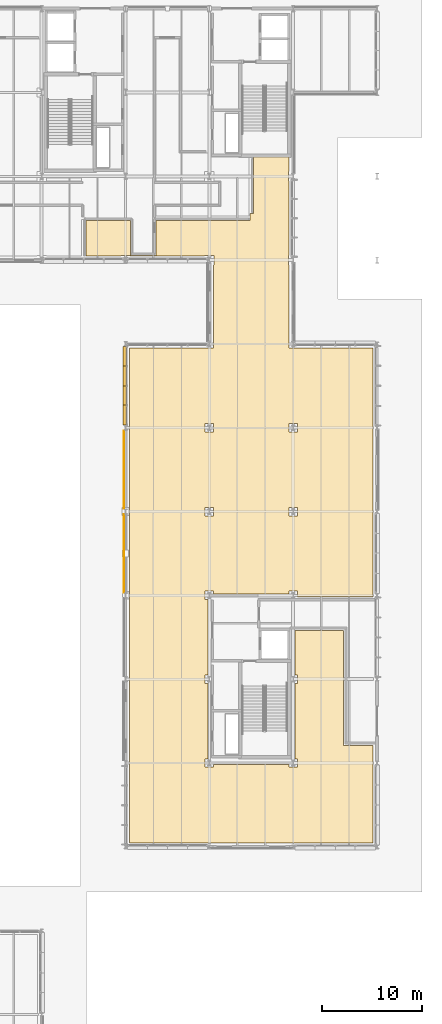
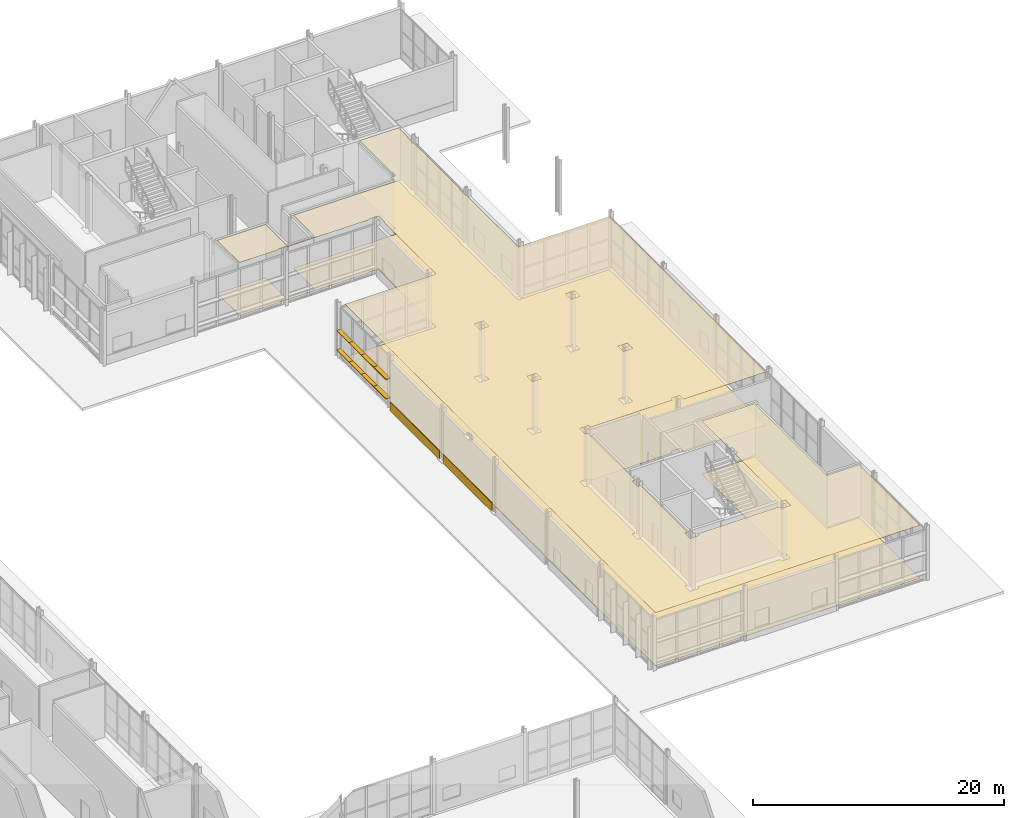
# One storey, part 118 of 124: 8 shading devices, 4 coverings.
"""IFC4 building model written with IfcOpenShell, lengths in metres."""

import ifcopenshell
import ifcopenshell.guid

model = None  # the IFC model being written
_history = None  # IfcOwnerHistory: only IFC2X3 demands one
_inside = {}  # id of a spatial element -> (the spatial element, [elements in it])
_under = {}  # id of a project, library or spatial element -> (it, [spatial elements below it])
_declared = {}  # id of a project -> (the project, [libraries it declares])
_typed = {}  # id of a type object -> (the type object, [elements of that type])
_made_of = {}  # id of a material, layer set ... -> (it, [elements and type objects made of it])


def new_model(schema):
    """Start an empty IFC model of exactly this schema.

    Asked for "IFC4X3", IfcOpenShell would pick the latest addendum, in which some entities
    have other attributes; the version numbers below select the first issue.
    IFC2X3 requires an IfcOwnerHistory on every rooted entity: one is made here for all.
    """
    global model, _history
    if schema == "IFC4X3":
        model = ifcopenshell.file(schema_version=(4, 3, 0, 0))
    else:
        model = ifcopenshell.file(schema=schema)
    _inside.clear()
    _under.clear()
    _declared.clear()
    _typed.clear()
    _made_of.clear()
    _history = None
    if model.schema == "IFC2X3":
        org = make("IfcOrganization", Name="unknown")
        user = make(
            "IfcPersonAndOrganization",
            ThePerson=make("IfcPerson", FamilyName="unknown"),
            TheOrganization=org,
        )
        app = make(
            "IfcApplication",
            ApplicationDeveloper=org,
            Version="unknown",
            ApplicationFullName="unknown",
            ApplicationIdentifier="unknown",
        )
        _history = make(
            "IfcOwnerHistory",
            OwningUser=user,
            OwningApplication=app,
            ChangeAction="ADDED",
            CreationDate=0,
        )
    return model


def make(cls, **values):
    """One entity of the class cls with the attributes given. An attribute that is None is left unset."""
    return model.create_entity(
        cls, **{name: value for name, value in values.items() if value is not None}
    )


def rooted(cls, **values):
    """An entity with a GlobalId (a new one), such as an element, a storey or a relation."""
    return make(cls, GlobalId=ifcopenshell.guid.new(), OwnerHistory=_history, **values)


def si_unit(unit_type, name, prefix=None):
    """IfcSIUnit, for example si_unit("LENGTHUNIT", "METRE", prefix="MILLI")."""
    return make("IfcSIUnit", UnitType=unit_type, Prefix=prefix, Name=name)


def assignment(units):
    """IfcUnitAssignment: the units of a project."""
    return None if units is None else make("IfcUnitAssignment", Units=units)


def point(xyz):
    """IfcCartesianPoint."""
    return None if xyz is None else make("IfcCartesianPoint", Coordinates=xyz)


def direction(xyz):
    """IfcDirection."""
    return None if xyz is None else make("IfcDirection", DirectionRatios=xyz)


def frame(location, z_axis=None, x_axis=None):
    """IfcAxis2Placement3D, a coordinate frame: its origin and axes. An axis left out is left unset."""
    return make(
        "IfcAxis2Placement3D",
        Location=point(location),
        Axis=direction(z_axis),
        RefDirection=direction(x_axis),
    )


def frame_2d(location, x_axis=None):
    """IfcAxis2Placement2D, a coordinate frame in the plane: its origin and x axis."""
    return make(
        "IfcAxis2Placement2D", Location=point(location), RefDirection=direction(x_axis)
    )


def origin():
    """The frame at (0, 0, 0) with its axes left unset."""
    return frame((0.0, 0.0, 0.0))


def origin_2d():
    """The frame at (0, 0) in the plane with its x axis left unset."""
    return frame_2d((0.0, 0.0))


def place(relative_to, where):
    """IfcLocalPlacement: puts the frame where relative to a parent placement (None: the world)."""
    return make(
        "IfcLocalPlacement", PlacementRelTo=relative_to, RelativePlacement=where
    )


def context(
    kind, dimensions, precision=None, world=None, true_north=None, identifier=None
):
    """IfcGeometricRepresentationContext, for example the 3D "Model" context."""
    return make(
        "IfcGeometricRepresentationContext",
        ContextIdentifier=identifier,
        ContextType=kind,
        CoordinateSpaceDimension=dimensions,
        Precision=precision,
        WorldCoordinateSystem=world,
        TrueNorth=true_north,
    )


def subcontext(parent, identifier, kind, view, scale=None):
    """IfcGeometricRepresentationSubContext, for example "Body" below "Model"."""
    return make(
        "IfcGeometricRepresentationSubContext",
        ContextIdentifier=identifier,
        ContextType=kind,
        ParentContext=parent,
        TargetScale=scale,
        TargetView=view,
    )


def project(units=None, contexts=None):
    """IfcProject with its units and contexts."""
    return rooted(
        "IfcProject",
        Name="project",
        RepresentationContexts=contexts,
        UnitsInContext=assignment(units),
    )


def spatial(cls, under=None, at=None, **own):
    """A site, building, storey or space (cls), placed at a placement, below another one or the project."""
    s = rooted(cls, ObjectPlacement=at, **own)
    if under is not None:
        _under.setdefault(under.id(), (under, []))[1].append(s)
    return s


def polyline(points):
    """IfcPolyline through the points."""
    return make("IfcPolyline", Points=[point(p) for p in points])


def profile(cls, at=None, kind="AREA", **sizes):
    """A parametric profile (cls). Its sizes go by their IFC names, for example OverallWidth=200.0."""
    return make(cls, ProfileType=kind, Position=at, **sizes)


def rectangle(**sizes):
    """IfcRectangleProfileDef."""
    return profile("IfcRectangleProfileDef", **sizes)


def outline(outer, holes=None, kind="AREA"):
    """IfcArbitraryClosedProfileDef: a profile drawn as a closed curve; with holes, ...WithVoids."""
    if holes is None:
        return make("IfcArbitraryClosedProfileDef", ProfileType=kind, OuterCurve=outer)
    return make(
        "IfcArbitraryProfileDefWithVoids",
        ProfileType=kind,
        OuterCurve=outer,
        InnerCurves=holes,
    )


def extrude(swept, where, along, depth):
    """IfcExtrudedAreaSolid: the profile swept, set in the frame where, extruded along a direction by depth."""
    return make(
        "IfcExtrudedAreaSolid",
        SweptArea=swept,
        Position=where,
        ExtrudedDirection=direction(along),
        Depth=depth,
    )


def shape(context_of_items, identifier, shape_type, items):
    """IfcShapeRepresentation: the items that make up one representation, for example the "Body"."""
    return make(
        "IfcShapeRepresentation",
        ContextOfItems=context_of_items,
        RepresentationIdentifier=identifier,
        RepresentationType=shape_type,
        Items=items,
    )


def material(Name=None, Category=None):
    """IfcMaterial."""
    return make("IfcMaterial", Name=Name, Category=Category)


def layer(
    of_material, thickness, ventilated=None, Name=None, Category=None, Priority=None
):
    """IfcMaterialLayer: one layer of a wall or slab, of a material (None: an air gap)."""
    return make(
        "IfcMaterialLayer",
        Material=of_material,
        LayerThickness=thickness,
        IsVentilated=ventilated,
        Name=Name,
        Category=Category,
        Priority=Priority,
    )


def layer_set(layers, Name=None):
    """IfcMaterialLayerSet."""
    return make("IfcMaterialLayerSet", MaterialLayers=layers, LayerSetName=Name)


def made_of(thing, what):
    """Note that an element or type object is made of a material, layer set ...; save() writes the relation."""
    if what is not None:
        _made_of.setdefault(what.id(), (what, []))[1].append(thing)
    return thing


def type_object(cls, material=None, **own):
    """A type object (cls), such as IfcWallType, which elements share."""
    return made_of(rooted(cls, **own), material)


def element(
    cls,
    number,
    at=None,
    inside=None,
    cuts=None,
    type_object=None,
    material=None,
    context=None,
    identifier="Body",
    shape_type=None,
    held_by="IfcProductDefinitionShape",
    body=None,
    shapes=None,
    **own,
):
    """One element of the class cls, such as IfcWall. Its Tag is "e" and its number.

    at: its placement. inside: the storey or other place that contains it. cuts: it is an
    opening in that element (IfcRelVoidsElement). A single representation is given by context,
    identifier, shape_type and body (its items); several are given by shapes. held_by: the class
    of the entity that holds the representations. save() writes the other relations.
    """
    e = rooted(cls, Tag="e%d" % number, ObjectPlacement=at, **own)
    if body is not None:
        shapes = [shape(context, identifier, shape_type, body)]
    if shapes is not None:
        e.Representation = make(held_by, Representations=shapes)
    if inside is not None:
        _inside.setdefault(inside.id(), (inside, []))[1].append(e)
    if cuts is not None:
        rooted(
            "IfcRelVoidsElement", RelatingBuildingElement=cuts, RelatedOpeningElement=e
        )
    if type_object is not None:
        _typed.setdefault(type_object.id(), (type_object, []))[1].append(e)
    return made_of(e, material)


def aggregate(whole, parts):
    """IfcRelAggregates: a whole, such as a stair, and the parts it consists of."""
    return rooted("IfcRelAggregates", RelatingObject=whole, RelatedObjects=parts)


def save(model, path):
    """Write the relations noted so far, then the file.

    IfcRelAggregates (storeys below a building ...), IfcRelContainedInSpatialStructure (elements
    in a storey), IfcRelDefinesByType, IfcRelAssociatesMaterial and IfcRelDeclares: one each for
    every whole, place, type object, material and project.
    """
    for whole, parts in _under.values():
        aggregate(whole, parts)
    for where, things in _inside.values():
        rooted(
            "IfcRelContainedInSpatialStructure",
            RelatedElements=things,
            RelatingStructure=where,
        )
    for kind, things in _typed.values():
        rooted("IfcRelDefinesByType", RelatedObjects=things, RelatingType=kind)
    for what, things in _made_of.values():
        rooted("IfcRelAssociatesMaterial", RelatedObjects=things, RelatingMaterial=what)
    for by, libraries in _declared.values():
        rooted("IfcRelDeclares", RelatingContext=by, RelatedDefinitions=libraries)
    model.write(path)


model = new_model("IFC4")

# Units and contexts
model_context = context("Model", 3, precision=1e-05, world=origin(), true_north=direction((0.0, 1.0)))
body_context = subcontext(model_context, "Body", "Model", "MODEL_VIEW")
ifc_project = project(units=[si_unit("LENGTHUNIT", "METRE"), si_unit("AREAUNIT", "SQUARE_METRE"), si_unit("VOLUMEUNIT", "CUBIC_METRE"), si_unit("PLANEANGLEUNIT", "RADIAN"), si_unit("MASSUNIT", "GRAM", prefix="KILO")], contexts=[model_context])

# Site, building, storey
site_placement = place(None, origin())
site = spatial("IfcSite", under=ifc_project, at=site_placement, CompositionType="ELEMENT")
building_placement = place(site_placement, origin())
building = spatial("IfcBuilding", under=site, at=building_placement, Name="Mersafa Astral City Hall", CompositionType="ELEMENT")
storey_placement = place(building_placement, origin())
storey = spatial("IfcBuildingStorey", under=building, at=storey_placement, Name="L00", CompositionType="ELEMENT", Elevation=0.0)

# Coverings
ifc_material_1 = material(Name="Cairo Mokattam buff limestone cladding", Category="masonry")
ifc_layer_1 = layer(ifc_material_1, 0.06005859375, Name="Cairo Mokattam buff limestone cladding")
ifc_layer_set_1 = layer_set([ifc_layer_1], Name="Cairo Mokattam buff limestone cladding — ENV-COV-LIMESTONE-60")
covering_type_1 = type_object("IfcCoveringType", Name="ENV-COV-LIMESTONE-60", PredefinedType="CLADDING", material=ifc_layer_set_1)
for number, where, z_axis, x_axis, name in (
    (1, (159.445556640625, 79.800048828125, 0.0), (0.0, 0.0, 1.0), (0.0, -1.0, 0.0), "L00 Cairo buff limestone rainscreen cladding 23"),
    (2, (159.452880859375, 71.39990234375, 0.0), (0.0, 0.0, 1.0), (0.0, -1.0, 0.0), "L00 Cairo buff limestone rainscreen cladding 24"),
):
    element("IfcCovering", number, at=place(storey_placement, frame(where, z_axis=z_axis, x_axis=x_axis)), inside=storey, type_object=covering_type_1, Name=name, PredefinedType="CLADDING", context=body_context, shape_type="SweptSolid", body=[
        extrude(rectangle(XDim=7.847900390625, YDim=0.06005859375, at=origin_2d()), origin(), (0.0, 0.0, 1.0), 0.860107421875),
    ])

# Shading devices
ifc_material_2 = material(Name="Kiln-dried cedar timber brise-soleil blade", Category="wood")
shading_device_type = type_object("IfcShadingDeviceType", Name="ENV-SHD-LOUVRE-380", PredefinedType="JALOUSIE", material=ifc_material_2)
shading_device_1_placement = place(storey_placement, frame((159.52001953125, 91.160400390625, 0.81494140625), z_axis=(0.0, 0.0, 1.0), x_axis=(0.0, -1.0, 0.0)))
element("IfcShadingDevice", 3, at=shading_device_1_placement, inside=storey, type_object=shading_device_type, Name="L00 Horizontal cedar brise-soleil louvre 130", PredefinedType="JALOUSIE", context=body_context, shape_type="SweptSolid", body=[
    extrude(rectangle(XDim=1.985107421875, YDim=0.3798828125, at=origin_2d()), origin(), (0.0, 0.0, 1.0), 0.070068359375),
])
for number, where, z_axis, x_axis, name in (
    (4, (159.52001953125, 89.2001953125, 0.81494140625), (0.0, 0.0, 1.0), (0.0, -1.0, 0.0), "L00 Horizontal cedar brise-soleil louvre 131"),
    (5, (159.52001953125, 87.224853515625, 0.81494140625), (0.0, 0.0, 1.0), (0.0, -1.0, 0.0), "L00 Horizontal cedar brise-soleil louvre 132"),
):
    element("IfcShadingDevice", number, at=place(storey_placement, frame(where, z_axis=z_axis, x_axis=x_axis)), inside=storey, type_object=shading_device_type, Name=name, PredefinedType="JALOUSIE", context=body_context, shape_type="SweptSolid", body=[
        extrude(rectangle(XDim=2.01513671875, YDim=0.3798828125, at=origin_2d()), origin(), (0.0, 0.0, 1.0), 0.070068359375),
    ])
for number, where, z_axis, x_axis, name in (
    (6, (159.52001953125, 85.2646484375, 0.81494140625), (0.0, 0.0, 1.0), (0.0, -1.0, 0.0), "L00 Horizontal cedar brise-soleil louvre 133"),
    (7, (159.52001953125, 91.160400390625, 2.71484375), (0.0, 0.0, 1.0), (0.0, -1.0, 0.0), "L00 Horizontal cedar brise-soleil louvre 134"),
):
    element("IfcShadingDevice", number, at=place(storey_placement, frame(where, z_axis=z_axis, x_axis=x_axis)), inside=storey, type_object=shading_device_type, Name=name, PredefinedType="JALOUSIE", context=body_context, shape_type="SweptSolid", body=[
        extrude(rectangle(XDim=1.985107421875, YDim=0.3798828125, at=origin_2d()), origin(), (0.0, 0.0, 1.0), 0.070068359375),
    ])
for number, where, z_axis, x_axis, name in (
    (8, (159.52001953125, 89.2001953125, 2.71484375), (0.0, 0.0, 1.0), (0.0, -1.0, 0.0), "L00 Horizontal cedar brise-soleil louvre 135"),
    (9, (159.52001953125, 87.224853515625, 2.71484375), (0.0, 0.0, 1.0), (0.0, -1.0, 0.0), "L00 Horizontal cedar brise-soleil louvre 136"),
):
    element("IfcShadingDevice", number, at=place(storey_placement, frame(where, z_axis=z_axis, x_axis=x_axis)), inside=storey, type_object=shading_device_type, Name=name, PredefinedType="JALOUSIE", context=body_context, shape_type="SweptSolid", body=[
        extrude(rectangle(XDim=2.01513671875, YDim=0.3798828125, at=origin_2d()), origin(), (0.0, 0.0, 1.0), 0.070068359375),
    ])
shading_device_2_placement = place(storey_placement, frame((159.52001953125, 85.2646484375, 2.71484375), z_axis=(0.0, 0.0, 1.0), x_axis=(0.0, -1.0, 0.0)))
element("IfcShadingDevice", 10, at=shading_device_2_placement, inside=storey, type_object=shading_device_type, Name="L00 Horizontal cedar brise-soleil louvre 137", PredefinedType="JALOUSIE", context=body_context, shape_type="SweptSolid", body=[
    extrude(rectangle(XDim=1.985107421875, YDim=0.3798828125, at=origin_2d()), origin(), (0.0, 0.0, 1.0), 0.070068359375),
])

# Coverings
ifc_material_3 = material(Name="Perforated acoustic gypsum board ceiling", Category="gypsum")
ifc_layer_2 = layer(ifc_material_3, 0.02490234375, Name="Perforated acoustic gypsum board ceiling")
ifc_layer_set_2 = layer_set([ifc_layer_2], Name="Perforated acoustic gypsum board ceiling — INT-COV-CEIL-25")
covering_type_2 = type_object("IfcCoveringType", Name="INT-COV-CEIL-25", PredefinedType="CEILING", material=ifc_layer_set_2)
covering_1_placement = place(storey_placement, frame((0.0, 0.0, 5.156005859375)))
element("IfcCovering", 11, at=covering_1_placement, inside=storey, type_object=covering_type_2, Name="L00 Citizens Service Centre L00-02 acoustic ceiling", PredefinedType="CEILING", context=body_context, shape_type="SweptSolid", body=[
    extrude(outline(polyline([(155.6298828125, 101.199951171875), (155.6298828125, 104.77001953125), (160.080078125, 104.77001953125), (160.080078125, 101.280029296875), (162.639892578125, 101.280029296875), (162.639892578125, 104.77001953125), (172.080078125, 104.77001953125), (172.080078125, 105.469970703125), (172.429931640625, 105.469970703125), (172.429931640625, 111.1201171875), (176.0, 111.1201171875), (176.0, 109.669921875), (175.929931640625, 109.669921875), (175.929931640625, 108.72998046875), (176.0, 108.72998046875), (176.0, 101.27001953125), (175.929931640625, 101.27001953125), (175.929931640625, 100.330078125), (176.0, 100.330078125), (176.0, 92.820068359375), (175.97998046875, 92.820068359375), (175.97998046875, 91.97998046875), (176.820068359375, 91.97998046875), (176.820068359375, 92.0), (184.39990234375, 92.0), (184.39990234375, 67.02001953125), (176.820068359375, 67.02001953125), (176.820068359375, 67.6201171875), (175.97998046875, 67.6201171875), (175.97998046875, 67.360107421875), (168.419921875, 67.360107421875), (168.419921875, 67.6201171875), (167.580078125, 67.6201171875), (167.580078125, 66.780029296875), (167.840087890625, 66.780029296875), (167.840087890625, 59.219970703125), (167.580078125, 59.219970703125), (167.580078125, 58.3798828125), (167.840087890625, 58.3798828125), (167.840087890625, 50.820068359375), (167.580078125, 50.820068359375), (167.580078125, 49.97998046875), (168.419921875, 49.97998046875), (168.419921875, 50.239990234375), (175.97998046875, 50.239990234375), (175.97998046875, 49.97998046875), (176.820068359375, 49.97998046875), (176.820068359375, 50.820068359375), (176.56005859375, 50.820068359375), (176.56005859375, 58.3798828125), (176.820068359375, 58.3798828125), (176.820068359375, 59.219970703125), (176.56005859375, 59.219970703125), (176.56005859375, 63.659912109375), (181.43994140625, 63.659912109375), (181.43994140625, 52.139892578125), (184.39990234375, 52.139892578125), (184.39990234375, 42.39990234375), (160.0, 42.39990234375), (160.0, 49.97998046875), (160.02001953125, 49.97998046875), (160.02001953125, 50.820068359375), (160.0, 50.820068359375), (160.0, 58.3798828125), (160.02001953125, 58.3798828125), (160.02001953125, 59.219970703125), (160.0, 59.219970703125), (160.0, 66.780029296875), (160.02001953125, 66.780029296875), (160.02001953125, 67.6201171875), (160.0, 67.6201171875), (160.0, 75.179931640625), (160.02001953125, 75.179931640625), (160.02001953125, 76.02001953125), (160.0, 76.02001953125), (160.0, 83.580078125), (160.02001953125, 83.580078125), (160.02001953125, 84.419921875), (160.0, 84.419921875), (160.0, 92.0), (167.580078125, 92.0), (167.580078125, 91.97998046875), (168.419921875, 91.97998046875), (168.419921875, 92.820068359375), (168.39990234375, 92.820068359375), (168.39990234375, 100.330078125), (168.469970703125, 100.330078125), (168.469970703125, 101.27001953125), (167.530029296875, 101.27001953125), (167.530029296875, 101.199951171875), (160.070068359375, 101.199951171875), (160.070068359375, 101.27001953125), (159.1298828125, 101.27001953125), (159.1298828125, 101.199951171875), (155.6298828125, 101.199951171875)]), holes=[polyline([(176.820068359375, 75.179931640625), (176.820068359375, 76.02001953125), (175.97998046875, 76.02001953125), (175.97998046875, 75.179931640625), (176.820068359375, 75.179931640625)]), polyline([(175.97998046875, 83.580078125), (176.820068359375, 83.580078125), (176.820068359375, 84.419921875), (175.97998046875, 84.419921875), (175.97998046875, 83.580078125)]), polyline([(167.580078125, 75.179931640625), (168.419921875, 75.179931640625), (168.419921875, 76.02001953125), (167.580078125, 76.02001953125), (167.580078125, 75.179931640625)]), polyline([(167.580078125, 83.580078125), (168.419921875, 83.580078125), (168.419921875, 84.419921875), (167.580078125, 84.419921875), (167.580078125, 83.580078125)])]), origin(), (0.0, 0.0, 1.0), 0.02490234375),
])
ifc_material_4 = material(Name="Honed Cairo limestone terrazzo flooring", Category="masonry")
ifc_layer_3 = layer(ifc_material_4, 0.02001953125, Name="Honed Cairo limestone terrazzo flooring")
ifc_layer_set_3 = layer_set([ifc_layer_3], Name="Honed Cairo limestone terrazzo flooring — INT-COV-FLR-20")
covering_type_3 = type_object("IfcCoveringType", Name="INT-COV-FLR-20", PredefinedType="FLOORING", material=ifc_layer_set_3)
covering_2_placement = place(storey_placement, frame((0.0, 0.0, -0.00146484375)))
element("IfcCovering", 12, at=covering_2_placement, inside=storey, type_object=covering_type_3, Name="L00 Citizens Service Centre L00-02 architectural flooring", PredefinedType="FLOORING", context=body_context, shape_type="SweptSolid", body=[
    extrude(outline(polyline([(155.6298828125, 101.199951171875), (155.6298828125, 104.77001953125), (160.080078125, 104.77001953125), (160.080078125, 101.280029296875), (162.639892578125, 101.280029296875), (162.639892578125, 104.77001953125), (172.080078125, 104.77001953125), (172.080078125, 105.469970703125), (172.429931640625, 105.469970703125), (172.429931640625, 111.1201171875), (176.0, 111.1201171875), (176.0, 109.669921875), (175.929931640625, 109.669921875), (175.929931640625, 108.72998046875), (176.0, 108.72998046875), (176.0, 101.27001953125), (175.929931640625, 101.27001953125), (175.929931640625, 100.330078125), (176.0, 100.330078125), (176.0, 92.820068359375), (175.97998046875, 92.820068359375), (175.97998046875, 91.97998046875), (176.820068359375, 91.97998046875), (176.820068359375, 92.0), (184.39990234375, 92.0), (184.39990234375, 67.02001953125), (176.820068359375, 67.02001953125), (176.820068359375, 67.6201171875), (175.97998046875, 67.6201171875), (175.97998046875, 67.360107421875), (168.419921875, 67.360107421875), (168.419921875, 67.6201171875), (167.580078125, 67.6201171875), (167.580078125, 66.780029296875), (167.840087890625, 66.780029296875), (167.840087890625, 59.219970703125), (167.580078125, 59.219970703125), (167.580078125, 58.3798828125), (167.840087890625, 58.3798828125), (167.840087890625, 50.820068359375), (167.580078125, 50.820068359375), (167.580078125, 49.97998046875), (168.419921875, 49.97998046875), (168.419921875, 50.239990234375), (175.97998046875, 50.239990234375), (175.97998046875, 49.97998046875), (176.820068359375, 49.97998046875), (176.820068359375, 50.820068359375), (176.56005859375, 50.820068359375), (176.56005859375, 58.3798828125), (176.820068359375, 58.3798828125), (176.820068359375, 59.219970703125), (176.56005859375, 59.219970703125), (176.56005859375, 63.659912109375), (181.43994140625, 63.659912109375), (181.43994140625, 52.139892578125), (184.39990234375, 52.139892578125), (184.39990234375, 42.39990234375), (160.0, 42.39990234375), (160.0, 49.97998046875), (160.02001953125, 49.97998046875), (160.02001953125, 50.820068359375), (160.0, 50.820068359375), (160.0, 58.3798828125), (160.02001953125, 58.3798828125), (160.02001953125, 59.219970703125), (160.0, 59.219970703125), (160.0, 66.780029296875), (160.02001953125, 66.780029296875), (160.02001953125, 67.6201171875), (160.0, 67.6201171875), (160.0, 75.179931640625), (160.02001953125, 75.179931640625), (160.02001953125, 76.02001953125), (160.0, 76.02001953125), (160.0, 83.580078125), (160.02001953125, 83.580078125), (160.02001953125, 84.419921875), (160.0, 84.419921875), (160.0, 92.0), (167.580078125, 92.0), (167.580078125, 91.97998046875), (168.419921875, 91.97998046875), (168.419921875, 92.820068359375), (168.39990234375, 92.820068359375), (168.39990234375, 100.330078125), (168.469970703125, 100.330078125), (168.469970703125, 101.27001953125), (167.530029296875, 101.27001953125), (167.530029296875, 101.199951171875), (160.070068359375, 101.199951171875), (160.070068359375, 101.27001953125), (159.1298828125, 101.27001953125), (159.1298828125, 101.199951171875), (155.6298828125, 101.199951171875)]), holes=[polyline([(176.820068359375, 75.179931640625), (176.820068359375, 76.02001953125), (175.97998046875, 76.02001953125), (175.97998046875, 75.179931640625), (176.820068359375, 75.179931640625)]), polyline([(175.97998046875, 83.580078125), (176.820068359375, 83.580078125), (176.820068359375, 84.419921875), (175.97998046875, 84.419921875), (175.97998046875, 83.580078125)]), polyline([(167.580078125, 75.179931640625), (168.419921875, 75.179931640625), (168.419921875, 76.02001953125), (167.580078125, 76.02001953125), (167.580078125, 75.179931640625)]), polyline([(167.580078125, 83.580078125), (168.419921875, 83.580078125), (168.419921875, 84.419921875), (167.580078125, 84.419921875), (167.580078125, 83.580078125)])]), origin(), (0.0, 0.0, 1.0), 0.02001953125),
])

save(model, "model.ifc")
